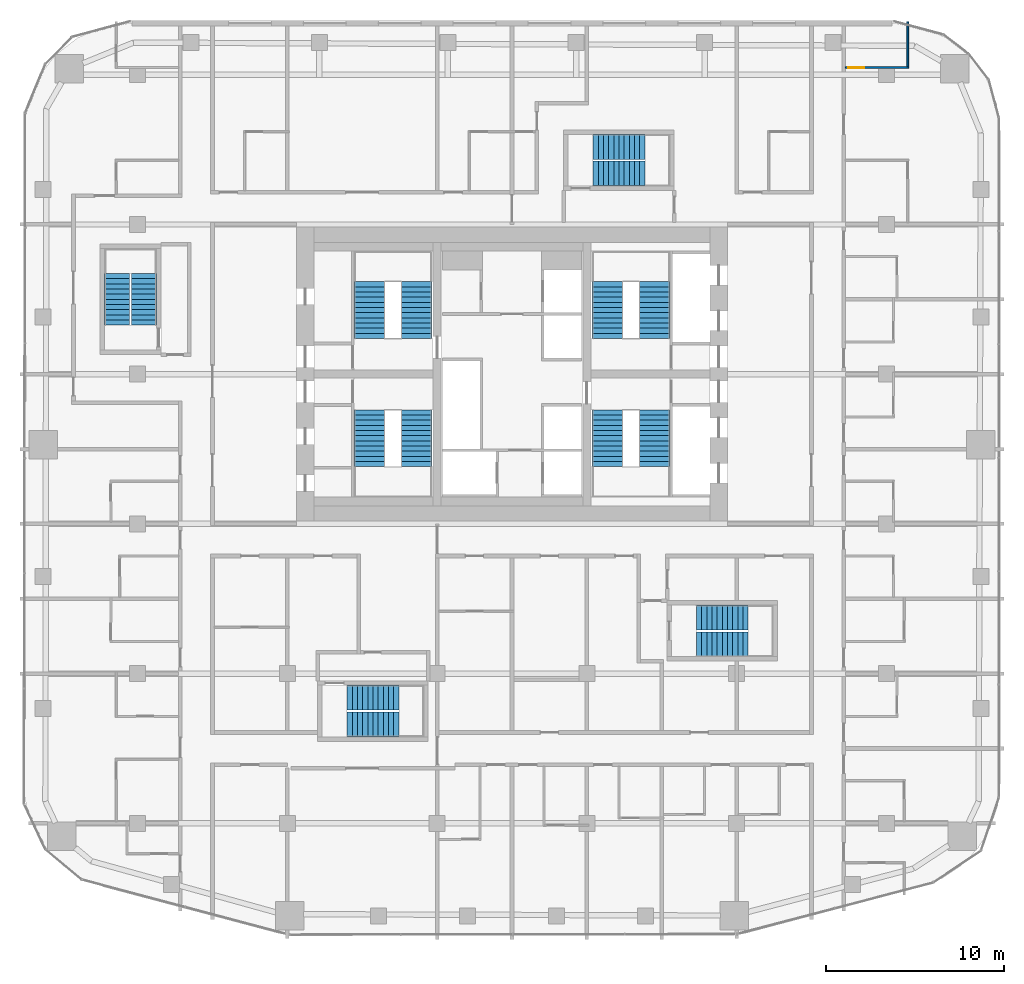
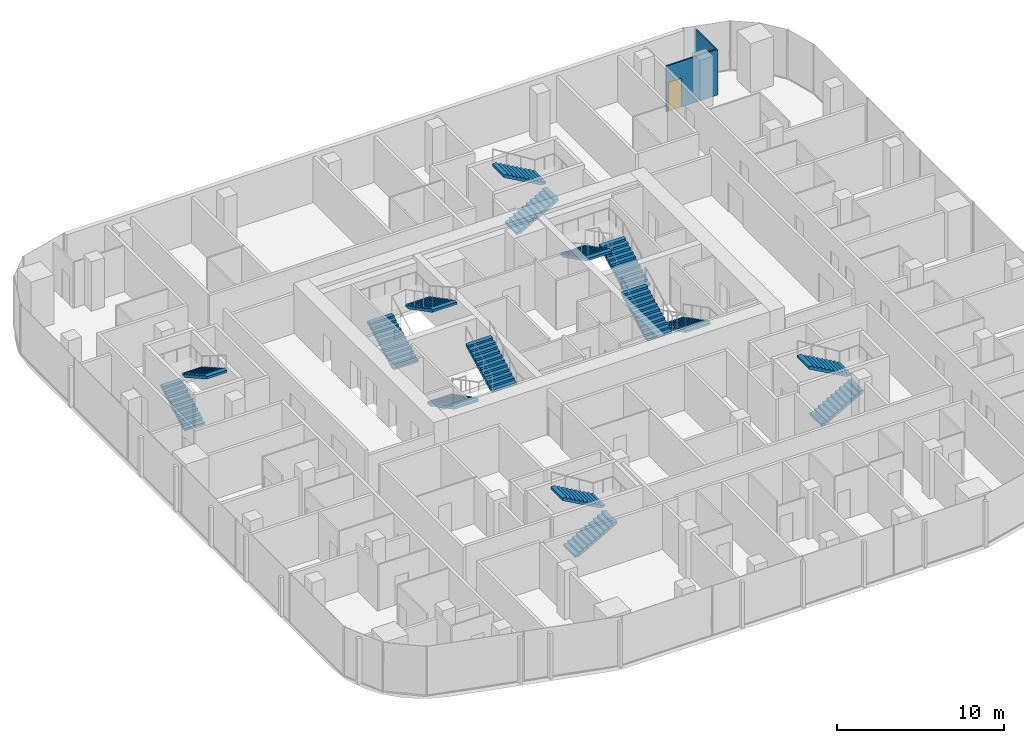
# One storey, part 21 of 23: 16 stair flights, 2 walls, 1 door, 1 opening, 8 elements without a shape of their own.
"""IFC4 building model written with IfcOpenShell, lengths in metres."""

from ifc_helpers import new_model, si_unit, direction, frame, frame_2d, origin, place, context, subcontext, project, spatial, polyline, rectangle, outline, extrude, material, layer, layer_set, type_object, element, fill, aggregate, save


model = new_model("IFC4")

# Units and contexts
model_context = context("Model", 3, precision=1e-05, world=origin(), true_north=direction((0.0, 1.0)))
body_context = subcontext(model_context, "Body", "Model", "MODEL_VIEW")
ifc_project = project(units=[si_unit("LENGTHUNIT", "METRE"), si_unit("AREAUNIT", "SQUARE_METRE"), si_unit("VOLUMEUNIT", "CUBIC_METRE"), si_unit("PLANEANGLEUNIT", "RADIAN"), si_unit("MASSUNIT", "GRAM", prefix="KILO")], contexts=[model_context])

# Site, building, storey
site_placement = place(None, origin())
site = spatial("IfcSite", under=ifc_project, at=site_placement, CompositionType="ELEMENT")
building_placement = place(site_placement, origin())
building = spatial("IfcBuilding", under=site, at=building_placement, Name="Marenta Gate Hotel Tower", CompositionType="ELEMENT")
storey_placement = place(building_placement, frame((0.0, 0.0, 140.89990234375)))
storey = spatial("IfcBuildingStorey", under=building, at=storey_placement, Name="L32", CompositionType="ELEMENT", Elevation=140.89990234375)

# Wall
ifc_material_1 = material(Name="Gypsum board on steel stud", Category="steel")
ifc_layer = layer(ifc_material_1, 0.10009765625)
ifc_layer_set = layer_set([ifc_layer], Name="Gypsum board on steel stud")
wall_type = type_object("IfcWallType", Name="Room partition 100", PredefinedType="PARTITIONING", material=ifc_layer_set)
wall_1_placement = place(storey_placement, frame((22.199951171875, 25.64990234375, 0.0), z_axis=(0.0, 0.0, 1.0), x_axis=(0.0, 1.0, 0.0)))
element("IfcWall", 1, at=wall_1_placement, inside=storey, type_object=wall_type, Name="L32-PTN-W002", PredefinedType="PARTITIONING", context=body_context, shape_type="SweptSolid", body=[
    extrude(rectangle(XDim=2.531982421875, YDim=0.10009765625, at=frame_2d((1.26611328125, 0.0))), origin(), (0.0, 0.0, 1.0), 3.340087890625),
])

# Wall, opening, door
wall_2_placement = place(storey_placement, frame((18.699951171875, 25.60009765625, 0.0), z_axis=(0.0, 0.0, 1.0), x_axis=(1.0, 0.0, 0.0)))
wall_2 = element("IfcWall", 2, at=wall_2_placement, inside=storey, type_object=wall_type, Name="L32-PTN-W130", PredefinedType="PARTITIONING", context=body_context, shape_type="SweptSolid", body=[
    extrude(rectangle(XDim=3.550048828125, YDim=0.10009765625, at=frame_2d((1.77490234375, 0.0))), origin(), (0.0, 0.0, 1.0), 3.340087890625),
])
opening_placement = place(wall_2_placement, frame((0.14990234375, 0.0, 0.0)))
opening = element("IfcOpeningElement", 3, at=opening_placement, cuts=wall_2, Name="Opening G12-28", PredefinedType="OPENING", context=body_context, shape_type="SweptSolid", body=[
    extrude(rectangle(XDim=0.89990234375, YDim=2.10009765625, at=frame_2d((0.449951171875, 1.050048828125))), frame((0.0, 0.050048828125, 0.0), z_axis=(0.0, -1.0, 0.0), x_axis=(1.0, 0.0, 0.0)), (0.0, 0.0, 1.0), 0.10009765625),
])
ifc_material_2 = material(Name="Timber door leaf", Category="wood")
door_type = type_object("IfcDoorType", Name="Room inner door 900x2100", OperationType="NOTDEFINED", PredefinedType="DOOR", material=ifc_material_2)
door_placement = place(opening_placement, origin())
door = element("IfcDoor", 4, at=door_placement, inside=storey, type_object=door_type, Name="L32-PD-D028", OperationType="SINGLE_SWING_LEFT", OverallHeight=2.10009765625, OverallWidth=0.89990234375, PredefinedType="DOOR", context=body_context, shape_type="SweptSolid", body=[
    extrude(rectangle(XDim=0.89990234375, YDim=2.10009765625, at=frame_2d((0.449951171875, 1.050048828125))), frame((0.0, 0.02490234375, 0.0), z_axis=(0.0, -1.0, 0.0), x_axis=(1.0, 0.0, 0.0)), (0.0, 0.0, 1.0), 0.050048828125),
])
fill(opening, door)

# Stair, stair flights
ifc_material_3 = material(Name="Concrete C40", Category="concrete")
stair_type_1 = type_object("IfcStairType", Name="Core exit stair 1700 wide", PredefinedType="HALF_TURN_STAIR", material=ifc_material_3)
stair_1_placement = place(storey_placement, origin())
stair_1 = element("IfcStair", 5, at=stair_1_placement, inside=storey, type_object=stair_type_1, Name="Exit stair 1", PredefinedType="HALF_TURN_STAIR")
ifc_material_4 = material(Name="Concrete C40", Category="concrete")
stair_flight_type_1 = type_object("IfcStairFlightType", Name="Core stair flight 1700 riser 150.0 going 290", PredefinedType="STRAIGHT", material=ifc_material_4)
stair_flight_1_placement = place(storey_placement, frame((-8.0, 6.39990234375, 0.0), z_axis=(0.0, 0.0, 1.0), x_axis=(0.0, -1.0, 0.0)))
stair_flight_1 = element("IfcStairFlight", 6, at=stair_flight_1_placement, type_object=stair_flight_type_1, Name="ST1 flight 1", NumberOfRisers=12, NumberOfTreads=11, PredefinedType="STRAIGHT", RiserHeight=0.15, TreadLength=0.29, context=body_context, shape_type="SweptSolid", body=[
    extrude(outline(polyline([(0.0, 0.0), (0.0, 0.14990234375), (0.2900390625, 0.14990234375), (0.2900390625, 0.300048828125), (0.580078125, 0.300048828125), (0.580078125, 0.449951171875), (0.8701171875, 0.449951171875), (0.8701171875, 0.60009765625), (1.159912109375, 0.60009765625), (1.159912109375, 0.75), (1.449951171875, 0.75), (1.449951171875, 0.89990234375), (1.739990234375, 0.89990234375), (1.739990234375, 1.050048828125), (2.030029296875, 1.050048828125), (2.030029296875, 1.199951171875), (2.320068359375, 1.199951171875), (2.320068359375, 1.35009765625), (2.610107421875, 1.35009765625), (2.610107421875, 1.5), (2.89990234375, 1.5), (2.89990234375, 1.64990234375), (3.18994140625, 1.64990234375), (3.18994140625, 1.800048828125), (3.18994140625, 1.481201171875), (0.326171875, 0.0), (0.0, 0.0)])), frame((0.0, 0.85009765625, 0.0), z_axis=(0.0, -1.0, 0.0), x_axis=(1.0, 0.0, 0.0)), (0.0, 0.0, 1.0), 1.699951171875),
])
stair_flight_2_placement = place(storey_placement, frame((-5.35009765625, 3.2099609375, 1.800048828125), z_axis=(0.0, 0.0, 1.0), x_axis=(0.0, 1.0, 0.0)))
stair_flight_2 = element("IfcStairFlight", 7, at=stair_flight_2_placement, type_object=stair_flight_type_1, Name="ST1 flight 2", NumberOfRisers=12, NumberOfTreads=11, PredefinedType="STRAIGHT", RiserHeight=0.15, TreadLength=0.29, context=body_context, shape_type="SweptSolid", body=[
    extrude(outline(polyline([(0.0, 0.0), (0.0, 0.14990234375), (0.2900390625, 0.14990234375), (0.2900390625, 0.300048828125), (0.580078125, 0.300048828125), (0.580078125, 0.449951171875), (0.8701171875, 0.449951171875), (0.8701171875, 0.60009765625), (1.159912109375, 0.60009765625), (1.159912109375, 0.75), (1.449951171875, 0.75), (1.449951171875, 0.89990234375), (1.739990234375, 0.89990234375), (1.739990234375, 1.050048828125), (2.030029296875, 1.050048828125), (2.030029296875, 1.199951171875), (2.320068359375, 1.199951171875), (2.320068359375, 1.35009765625), (2.610107421875, 1.35009765625), (2.610107421875, 1.5), (2.89990234375, 1.5), (2.89990234375, 1.64990234375), (3.18994140625, 1.64990234375), (3.18994140625, 1.800048828125), (3.18994140625, 1.481201171875), (0.326171875, 0.0), (0.0, 0.0)])), frame((0.0, 0.85009765625, 0.0), z_axis=(0.0, -1.0, 0.0), x_axis=(1.0, 0.0, 0.0)), (0.0, 0.0, 1.0), 1.699951171875),
])
aggregate(stair_1, [stair_flight_1, stair_flight_2])

stair_2_placement = place(storey_placement, origin())
stair_2 = element("IfcStair", 8, at=stair_2_placement, inside=storey, type_object=stair_type_1, Name="Exit stair 2", PredefinedType="HALF_TURN_STAIR")
stair_flight_3_placement = place(storey_placement, frame((-8.0, 10.39990234375, 0.0), z_axis=(0.0, 0.0, 1.0), x_axis=(0.0, 1.0, 0.0)))
stair_flight_3 = element("IfcStairFlight", 9, at=stair_flight_3_placement, type_object=stair_flight_type_1, Name="ST2 flight 1", NumberOfRisers=12, NumberOfTreads=11, PredefinedType="STRAIGHT", RiserHeight=0.15, TreadLength=0.29, context=body_context, shape_type="SweptSolid", body=[
    extrude(outline(polyline([(0.0, 0.0), (0.0, 0.14990234375), (0.2900390625, 0.14990234375), (0.2900390625, 0.300048828125), (0.580078125, 0.300048828125), (0.580078125, 0.449951171875), (0.8701171875, 0.449951171875), (0.8701171875, 0.60009765625), (1.159912109375, 0.60009765625), (1.159912109375, 0.75), (1.449951171875, 0.75), (1.449951171875, 0.89990234375), (1.739990234375, 0.89990234375), (1.739990234375, 1.050048828125), (2.030029296875, 1.050048828125), (2.030029296875, 1.199951171875), (2.320068359375, 1.199951171875), (2.320068359375, 1.35009765625), (2.610107421875, 1.35009765625), (2.610107421875, 1.5), (2.89990234375, 1.5), (2.89990234375, 1.64990234375), (3.18994140625, 1.64990234375), (3.18994140625, 1.800048828125), (3.18994140625, 1.481201171875), (0.326171875, 0.0), (0.0, 0.0)])), frame((0.0, 0.85009765625, 0.0), z_axis=(0.0, -1.0, 0.0), x_axis=(1.0, 0.0, 0.0)), (0.0, 0.0, 1.0), 1.699951171875),
])
stair_flight_4_placement = place(storey_placement, frame((-5.35009765625, 13.590087890625, 1.800048828125), z_axis=(0.0, 0.0, 1.0), x_axis=(0.0, -1.0, 0.0)))
stair_flight_4 = element("IfcStairFlight", 10, at=stair_flight_4_placement, type_object=stair_flight_type_1, Name="ST2 flight 2", NumberOfRisers=12, NumberOfTreads=11, PredefinedType="STRAIGHT", RiserHeight=0.15, TreadLength=0.29, context=body_context, shape_type="SweptSolid", body=[
    extrude(outline(polyline([(0.0, 0.0), (0.0, 0.14990234375), (0.2900390625, 0.14990234375), (0.2900390625, 0.300048828125), (0.580078125, 0.300048828125), (0.580078125, 0.449951171875), (0.8701171875, 0.449951171875), (0.8701171875, 0.60009765625), (1.159912109375, 0.60009765625), (1.159912109375, 0.75), (1.449951171875, 0.75), (1.449951171875, 0.89990234375), (1.739990234375, 0.89990234375), (1.739990234375, 1.050048828125), (2.030029296875, 1.050048828125), (2.030029296875, 1.199951171875), (2.320068359375, 1.199951171875), (2.320068359375, 1.35009765625), (2.610107421875, 1.35009765625), (2.610107421875, 1.5), (2.89990234375, 1.5), (2.89990234375, 1.64990234375), (3.18994140625, 1.64990234375), (3.18994140625, 1.800048828125), (3.18994140625, 1.481201171875), (0.326171875, 0.0), (0.0, 0.0)])), frame((0.0, 0.85009765625, 0.0), z_axis=(0.0, -1.0, 0.0), x_axis=(1.0, 0.0, 0.0)), (0.0, 0.0, 1.0), 1.699951171875),
])
aggregate(stair_2, [stair_flight_3, stair_flight_4])

stair_3_placement = place(storey_placement, origin())
stair_3 = element("IfcStair", 11, at=stair_3_placement, inside=storey, type_object=stair_type_1, Name="Exit stair 3", PredefinedType="HALF_TURN_STAIR")
stair_flight_5_placement = place(storey_placement, frame((8.0, 6.39990234375, 0.0), z_axis=(0.0, 0.0, 1.0), x_axis=(0.0, -1.0, 0.0)))
stair_flight_5 = element("IfcStairFlight", 12, at=stair_flight_5_placement, type_object=stair_flight_type_1, Name="ST3 flight 1", NumberOfRisers=12, NumberOfTreads=11, PredefinedType="STRAIGHT", RiserHeight=0.15, TreadLength=0.29, context=body_context, shape_type="SweptSolid", body=[
    extrude(outline(polyline([(0.0, 0.0), (0.0, 0.14990234375), (0.2900390625, 0.14990234375), (0.2900390625, 0.300048828125), (0.580078125, 0.300048828125), (0.580078125, 0.449951171875), (0.8701171875, 0.449951171875), (0.8701171875, 0.60009765625), (1.159912109375, 0.60009765625), (1.159912109375, 0.75), (1.449951171875, 0.75), (1.449951171875, 0.89990234375), (1.739990234375, 0.89990234375), (1.739990234375, 1.050048828125), (2.030029296875, 1.050048828125), (2.030029296875, 1.199951171875), (2.320068359375, 1.199951171875), (2.320068359375, 1.35009765625), (2.610107421875, 1.35009765625), (2.610107421875, 1.5), (2.89990234375, 1.5), (2.89990234375, 1.64990234375), (3.18994140625, 1.64990234375), (3.18994140625, 1.800048828125), (3.18994140625, 1.481201171875), (0.326171875, 0.0), (0.0, 0.0)])), frame((0.0, 0.85009765625, 0.0), z_axis=(0.0, -1.0, 0.0), x_axis=(1.0, 0.0, 0.0)), (0.0, 0.0, 1.0), 1.699951171875),
])
stair_flight_6_placement = place(storey_placement, frame((5.35009765625, 3.2099609375, 1.800048828125), z_axis=(0.0, 0.0, 1.0), x_axis=(0.0, 1.0, 0.0)))
stair_flight_6 = element("IfcStairFlight", 13, at=stair_flight_6_placement, type_object=stair_flight_type_1, Name="ST3 flight 2", NumberOfRisers=12, NumberOfTreads=11, PredefinedType="STRAIGHT", RiserHeight=0.15, TreadLength=0.29, context=body_context, shape_type="SweptSolid", body=[
    extrude(outline(polyline([(0.0, 0.0), (0.0, 0.14990234375), (0.2900390625, 0.14990234375), (0.2900390625, 0.300048828125), (0.580078125, 0.300048828125), (0.580078125, 0.449951171875), (0.8701171875, 0.449951171875), (0.8701171875, 0.60009765625), (1.159912109375, 0.60009765625), (1.159912109375, 0.75), (1.449951171875, 0.75), (1.449951171875, 0.89990234375), (1.739990234375, 0.89990234375), (1.739990234375, 1.050048828125), (2.030029296875, 1.050048828125), (2.030029296875, 1.199951171875), (2.320068359375, 1.199951171875), (2.320068359375, 1.35009765625), (2.610107421875, 1.35009765625), (2.610107421875, 1.5), (2.89990234375, 1.5), (2.89990234375, 1.64990234375), (3.18994140625, 1.64990234375), (3.18994140625, 1.800048828125), (3.18994140625, 1.481201171875), (0.326171875, 0.0), (0.0, 0.0)])), frame((0.0, 0.85009765625, 0.0), z_axis=(0.0, -1.0, 0.0), x_axis=(1.0, 0.0, 0.0)), (0.0, 0.0, 1.0), 1.699951171875),
])
aggregate(stair_3, [stair_flight_5, stair_flight_6])

stair_4_placement = place(storey_placement, origin())
stair_4 = element("IfcStair", 14, at=stair_4_placement, inside=storey, type_object=stair_type_1, Name="Exit stair 4", PredefinedType="HALF_TURN_STAIR")
stair_flight_7_placement = place(storey_placement, frame((8.0, 10.39990234375, 0.0), z_axis=(0.0, 0.0, 1.0), x_axis=(0.0, 1.0, 0.0)))
stair_flight_7 = element("IfcStairFlight", 15, at=stair_flight_7_placement, type_object=stair_flight_type_1, Name="ST4 flight 1", NumberOfRisers=12, NumberOfTreads=11, PredefinedType="STRAIGHT", RiserHeight=0.15, TreadLength=0.29, context=body_context, shape_type="SweptSolid", body=[
    extrude(outline(polyline([(0.0, 0.0), (0.0, 0.14990234375), (0.2900390625, 0.14990234375), (0.2900390625, 0.300048828125), (0.580078125, 0.300048828125), (0.580078125, 0.449951171875), (0.8701171875, 0.449951171875), (0.8701171875, 0.60009765625), (1.159912109375, 0.60009765625), (1.159912109375, 0.75), (1.449951171875, 0.75), (1.449951171875, 0.89990234375), (1.739990234375, 0.89990234375), (1.739990234375, 1.050048828125), (2.030029296875, 1.050048828125), (2.030029296875, 1.199951171875), (2.320068359375, 1.199951171875), (2.320068359375, 1.35009765625), (2.610107421875, 1.35009765625), (2.610107421875, 1.5), (2.89990234375, 1.5), (2.89990234375, 1.64990234375), (3.18994140625, 1.64990234375), (3.18994140625, 1.800048828125), (3.18994140625, 1.481201171875), (0.326171875, 0.0), (0.0, 0.0)])), frame((0.0, 0.85009765625, 0.0), z_axis=(0.0, -1.0, 0.0), x_axis=(1.0, 0.0, 0.0)), (0.0, 0.0, 1.0), 1.699951171875),
])
stair_flight_8_placement = place(storey_placement, frame((5.35009765625, 13.590087890625, 1.800048828125), z_axis=(0.0, 0.0, 1.0), x_axis=(0.0, -1.0, 0.0)))
stair_flight_8 = element("IfcStairFlight", 16, at=stair_flight_8_placement, type_object=stair_flight_type_1, Name="ST4 flight 2", NumberOfRisers=12, NumberOfTreads=11, PredefinedType="STRAIGHT", RiserHeight=0.15, TreadLength=0.29, context=body_context, shape_type="SweptSolid", body=[
    extrude(outline(polyline([(0.0, 0.0), (0.0, 0.14990234375), (0.2900390625, 0.14990234375), (0.2900390625, 0.300048828125), (0.580078125, 0.300048828125), (0.580078125, 0.449951171875), (0.8701171875, 0.449951171875), (0.8701171875, 0.60009765625), (1.159912109375, 0.60009765625), (1.159912109375, 0.75), (1.449951171875, 0.75), (1.449951171875, 0.89990234375), (1.739990234375, 0.89990234375), (1.739990234375, 1.050048828125), (2.030029296875, 1.050048828125), (2.030029296875, 1.199951171875), (2.320068359375, 1.199951171875), (2.320068359375, 1.35009765625), (2.610107421875, 1.35009765625), (2.610107421875, 1.5), (2.89990234375, 1.5), (2.89990234375, 1.64990234375), (3.18994140625, 1.64990234375), (3.18994140625, 1.800048828125), (3.18994140625, 1.481201171875), (0.326171875, 0.0), (0.0, 0.0)])), frame((0.0, 0.85009765625, 0.0), z_axis=(0.0, -1.0, 0.0), x_axis=(1.0, 0.0, 0.0)), (0.0, 0.0, 1.0), 1.699951171875),
])
aggregate(stair_4, [stair_flight_7, stair_flight_8])

ifc_material_5 = material(Name="Concrete C40", Category="concrete")
stair_type_2 = type_object("IfcStairType", Name="Remote exit stair 1400 wide", PredefinedType="HALF_TURN_STAIR", material=ifc_material_5)
stair_5_placement = place(storey_placement, origin())
stair_5 = element("IfcStair", 17, at=stair_5_placement, inside=storey, type_object=stair_type_2, Name="Exit stair RS-Z1-3", PredefinedType="HALF_TURN_STAIR")
ifc_material_6 = material(Name="Concrete C40", Category="concrete")
stair_flight_type_2 = type_object("IfcStairFlightType", Name="Remote stair flight 1400 riser 163.6 going 290", PredefinedType="STRAIGHT", material=ifc_material_6)
stair_flight_9_placement = place(storey_placement, frame((-22.14990234375, 11.14990234375, 0.0), z_axis=(0.0, 0.0, 1.0), x_axis=(0.0, 1.0, 0.0)))
stair_flight_9 = element("IfcStairFlight", 18, at=stair_flight_9_placement, type_object=stair_flight_type_2, Name="RS-Z1-3 flight 1", NumberOfRisers=11, NumberOfTreads=10, PredefinedType="STRAIGHT", RiserHeight=0.163636, TreadLength=0.29, context=body_context, shape_type="SweptSolid", body=[
    extrude(outline(polyline([(0.0, 0.0), (0.0, 0.16357421875), (0.2900390625, 0.16357421875), (0.2900390625, 0.327392578125), (0.580078125, 0.327392578125), (0.580078125, 0.490966796875), (0.8701171875, 0.490966796875), (0.8701171875, 0.654541015625), (1.159912109375, 0.654541015625), (1.159912109375, 0.818115234375), (1.449951171875, 0.818115234375), (1.449951171875, 0.98193359375), (1.739990234375, 0.98193359375), (1.739990234375, 1.1455078125), (2.030029296875, 1.1455078125), (2.030029296875, 1.30908203125), (2.320068359375, 1.30908203125), (2.320068359375, 1.47265625), (2.610107421875, 1.47265625), (2.610107421875, 1.636474609375), (2.89990234375, 1.636474609375), (2.89990234375, 1.800048828125), (2.89990234375, 1.46435546875), (0.304931640625, 0.0), (0.0, 0.0)])), frame((0.0, 0.699951171875, 0.0), z_axis=(0.0, -1.0, 0.0), x_axis=(1.0, 0.0, 0.0)), (0.0, 0.0, 1.0), 1.39990234375),
])
stair_flight_10_placement = place(storey_placement, frame((-20.64990234375, 14.050048828125, 1.800048828125), z_axis=(0.0, 0.0, 1.0), x_axis=(0.0, -1.0, 0.0)))
stair_flight_10 = element("IfcStairFlight", 19, at=stair_flight_10_placement, type_object=stair_flight_type_2, Name="RS-Z1-3 flight 2", NumberOfRisers=11, NumberOfTreads=10, PredefinedType="STRAIGHT", RiserHeight=0.163636, TreadLength=0.29, context=body_context, shape_type="SweptSolid", body=[
    extrude(outline(polyline([(0.0, 0.0), (0.0, 0.16357421875), (0.2900390625, 0.16357421875), (0.2900390625, 0.327392578125), (0.580078125, 0.327392578125), (0.580078125, 0.490966796875), (0.8701171875, 0.490966796875), (0.8701171875, 0.654541015625), (1.159912109375, 0.654541015625), (1.159912109375, 0.818115234375), (1.449951171875, 0.818115234375), (1.449951171875, 0.98193359375), (1.739990234375, 0.98193359375), (1.739990234375, 1.1455078125), (2.030029296875, 1.1455078125), (2.030029296875, 1.30908203125), (2.320068359375, 1.30908203125), (2.320068359375, 1.47265625), (2.610107421875, 1.47265625), (2.610107421875, 1.636474609375), (2.89990234375, 1.636474609375), (2.89990234375, 1.800048828125), (2.89990234375, 1.46435546875), (0.304931640625, 0.0), (0.0, 0.0)])), frame((0.0, 0.699951171875, 0.0), z_axis=(0.0, -1.0, 0.0), x_axis=(1.0, 0.0, 0.0)), (0.0, 0.0, 1.0), 1.39990234375),
])
aggregate(stair_5, [stair_flight_9, stair_flight_10])

stair_6_placement = place(storey_placement, origin())
stair_6 = element("IfcStair", 20, at=stair_6_placement, inside=storey, type_object=stair_type_2, Name="Exit stair RS-Z2-1", PredefinedType="HALF_TURN_STAIR")
stair_flight_11_placement = place(storey_placement, frame((-9.25, -11.25, 0.0), z_axis=(0.0, 0.0, 1.0), x_axis=(1.0, 0.0, 0.0)))
stair_flight_11 = element("IfcStairFlight", 21, at=stair_flight_11_placement, type_object=stair_flight_type_2, Name="RS-Z2-1 flight 1", NumberOfRisers=11, NumberOfTreads=10, PredefinedType="STRAIGHT", RiserHeight=0.163636, TreadLength=0.29, context=body_context, shape_type="SweptSolid", body=[
    extrude(outline(polyline([(0.0, 0.0), (0.0, 0.16357421875), (0.2900390625, 0.16357421875), (0.2900390625, 0.327392578125), (0.580078125, 0.327392578125), (0.580078125, 0.490966796875), (0.8701171875, 0.490966796875), (0.8701171875, 0.654541015625), (1.159912109375, 0.654541015625), (1.159912109375, 0.818115234375), (1.449951171875, 0.818115234375), (1.449951171875, 0.98193359375), (1.739990234375, 0.98193359375), (1.739990234375, 1.1455078125), (2.030029296875, 1.1455078125), (2.030029296875, 1.30908203125), (2.320068359375, 1.30908203125), (2.320068359375, 1.47265625), (2.610107421875, 1.47265625), (2.610107421875, 1.636474609375), (2.89990234375, 1.636474609375), (2.89990234375, 1.800048828125), (2.89990234375, 1.46435546875), (0.304931640625, 0.0), (0.0, 0.0)])), frame((0.0, 0.699951171875, 0.0), z_axis=(0.0, -1.0, 0.0), x_axis=(1.0, 0.0, 0.0)), (0.0, 0.0, 1.0), 1.39990234375),
])
stair_flight_12_placement = place(storey_placement, frame((-6.35009765625, -9.75, 1.800048828125), z_axis=(0.0, 0.0, 1.0), x_axis=(-1.0, 0.0, 0.0)))
stair_flight_12 = element("IfcStairFlight", 22, at=stair_flight_12_placement, type_object=stair_flight_type_2, Name="RS-Z2-1 flight 2", NumberOfRisers=11, NumberOfTreads=10, PredefinedType="STRAIGHT", RiserHeight=0.163636, TreadLength=0.29, context=body_context, shape_type="SweptSolid", body=[
    extrude(outline(polyline([(0.0, 0.0), (0.0, 0.16357421875), (0.2900390625, 0.16357421875), (0.2900390625, 0.327392578125), (0.580078125, 0.327392578125), (0.580078125, 0.490966796875), (0.8701171875, 0.490966796875), (0.8701171875, 0.654541015625), (1.159912109375, 0.654541015625), (1.159912109375, 0.818115234375), (1.449951171875, 0.818115234375), (1.449951171875, 0.98193359375), (1.739990234375, 0.98193359375), (1.739990234375, 1.1455078125), (2.030029296875, 1.1455078125), (2.030029296875, 1.30908203125), (2.320068359375, 1.30908203125), (2.320068359375, 1.47265625), (2.610107421875, 1.47265625), (2.610107421875, 1.636474609375), (2.89990234375, 1.636474609375), (2.89990234375, 1.800048828125), (2.89990234375, 1.46435546875), (0.304931640625, 0.0), (0.0, 0.0)])), frame((0.0, 0.699951171875, 0.0), z_axis=(0.0, -1.0, 0.0), x_axis=(1.0, 0.0, 0.0)), (0.0, 0.0, 1.0), 1.39990234375),
])
aggregate(stair_6, [stair_flight_11, stair_flight_12])

stair_7_placement = place(storey_placement, origin())
stair_7 = element("IfcStair", 23, at=stair_7_placement, inside=storey, type_object=stair_type_2, Name="Exit stair RS-Z2-2", PredefinedType="HALF_TURN_STAIR")
stair_flight_13_placement = place(storey_placement, frame((10.35009765625, -6.75, 0.0), z_axis=(0.0, 0.0, 1.0), x_axis=(1.0, 0.0, 0.0)))
stair_flight_13 = element("IfcStairFlight", 24, at=stair_flight_13_placement, type_object=stair_flight_type_2, Name="RS-Z2-2 flight 1", NumberOfRisers=11, NumberOfTreads=10, PredefinedType="STRAIGHT", RiserHeight=0.163636, TreadLength=0.29, context=body_context, shape_type="SweptSolid", body=[
    extrude(outline(polyline([(0.0, 0.0), (0.0, 0.16357421875), (0.2900390625, 0.16357421875), (0.2900390625, 0.327392578125), (0.580078125, 0.327392578125), (0.580078125, 0.490966796875), (0.8701171875, 0.490966796875), (0.8701171875, 0.654541015625), (1.159912109375, 0.654541015625), (1.159912109375, 0.818115234375), (1.449951171875, 0.818115234375), (1.449951171875, 0.98193359375), (1.739990234375, 0.98193359375), (1.739990234375, 1.1455078125), (2.030029296875, 1.1455078125), (2.030029296875, 1.30908203125), (2.320068359375, 1.30908203125), (2.320068359375, 1.47265625), (2.610107421875, 1.47265625), (2.610107421875, 1.636474609375), (2.89990234375, 1.636474609375), (2.89990234375, 1.800048828125), (2.89990234375, 1.46435546875), (0.304931640625, 0.0), (0.0, 0.0)])), frame((0.0, 0.699951171875, 0.0), z_axis=(0.0, -1.0, 0.0), x_axis=(1.0, 0.0, 0.0)), (0.0, 0.0, 1.0), 1.39990234375),
])
stair_flight_14_placement = place(storey_placement, frame((13.25, -5.25, 1.800048828125), z_axis=(0.0, 0.0, 1.0), x_axis=(-1.0, 0.0, 0.0)))
stair_flight_14 = element("IfcStairFlight", 25, at=stair_flight_14_placement, type_object=stair_flight_type_2, Name="RS-Z2-2 flight 2", NumberOfRisers=11, NumberOfTreads=10, PredefinedType="STRAIGHT", RiserHeight=0.163636, TreadLength=0.29, context=body_context, shape_type="SweptSolid", body=[
    extrude(outline(polyline([(0.0, 0.0), (0.0, 0.16357421875), (0.2900390625, 0.16357421875), (0.2900390625, 0.327392578125), (0.580078125, 0.327392578125), (0.580078125, 0.490966796875), (0.8701171875, 0.490966796875), (0.8701171875, 0.654541015625), (1.159912109375, 0.654541015625), (1.159912109375, 0.818115234375), (1.449951171875, 0.818115234375), (1.449951171875, 0.98193359375), (1.739990234375, 0.98193359375), (1.739990234375, 1.1455078125), (2.030029296875, 1.1455078125), (2.030029296875, 1.30908203125), (2.320068359375, 1.30908203125), (2.320068359375, 1.47265625), (2.610107421875, 1.47265625), (2.610107421875, 1.636474609375), (2.89990234375, 1.636474609375), (2.89990234375, 1.800048828125), (2.89990234375, 1.46435546875), (0.304931640625, 0.0), (0.0, 0.0)])), frame((0.0, 0.699951171875, 0.0), z_axis=(0.0, -1.0, 0.0), x_axis=(1.0, 0.0, 0.0)), (0.0, 0.0, 1.0), 1.39990234375),
])
aggregate(stair_7, [stair_flight_13, stair_flight_14])

stair_8_placement = place(storey_placement, origin())
stair_8 = element("IfcStair", 26, at=stair_8_placement, inside=storey, type_object=stair_type_2, Name="Exit stair RS-Z2-4", PredefinedType="HALF_TURN_STAIR")
stair_flight_15_placement = place(storey_placement, frame((4.550048828125, 19.64990234375, 0.0), z_axis=(0.0, 0.0, 1.0), x_axis=(1.0, 0.0, 0.0)))
stair_flight_15 = element("IfcStairFlight", 27, at=stair_flight_15_placement, type_object=stair_flight_type_2, Name="RS-Z2-4 flight 1", NumberOfRisers=11, NumberOfTreads=10, PredefinedType="STRAIGHT", RiserHeight=0.163636, TreadLength=0.29, context=body_context, shape_type="SweptSolid", body=[
    extrude(outline(polyline([(0.0, 0.0), (0.0, 0.16357421875), (0.2900390625, 0.16357421875), (0.2900390625, 0.327392578125), (0.580078125, 0.327392578125), (0.580078125, 0.490966796875), (0.8701171875, 0.490966796875), (0.8701171875, 0.654541015625), (1.159912109375, 0.654541015625), (1.159912109375, 0.818115234375), (1.449951171875, 0.818115234375), (1.449951171875, 0.98193359375), (1.739990234375, 0.98193359375), (1.739990234375, 1.1455078125), (2.030029296875, 1.1455078125), (2.030029296875, 1.30908203125), (2.320068359375, 1.30908203125), (2.320068359375, 1.47265625), (2.610107421875, 1.47265625), (2.610107421875, 1.636474609375), (2.89990234375, 1.636474609375), (2.89990234375, 1.800048828125), (2.89990234375, 1.46435546875), (0.304931640625, 0.0), (0.0, 0.0)])), frame((0.0, 0.699951171875, 0.0), z_axis=(0.0, -1.0, 0.0), x_axis=(1.0, 0.0, 0.0)), (0.0, 0.0, 1.0), 1.39990234375),
])
stair_flight_16_placement = place(storey_placement, frame((7.449951171875, 21.14990234375, 1.800048828125), z_axis=(0.0, 0.0, 1.0), x_axis=(-1.0, 0.0, 0.0)))
stair_flight_16 = element("IfcStairFlight", 28, at=stair_flight_16_placement, type_object=stair_flight_type_2, Name="RS-Z2-4 flight 2", NumberOfRisers=11, NumberOfTreads=10, PredefinedType="STRAIGHT", RiserHeight=0.163636, TreadLength=0.29, context=body_context, shape_type="SweptSolid", body=[
    extrude(outline(polyline([(0.0, 0.0), (0.0, 0.16357421875), (0.2900390625, 0.16357421875), (0.2900390625, 0.327392578125), (0.580078125, 0.327392578125), (0.580078125, 0.490966796875), (0.8701171875, 0.490966796875), (0.8701171875, 0.654541015625), (1.159912109375, 0.654541015625), (1.159912109375, 0.818115234375), (1.449951171875, 0.818115234375), (1.449951171875, 0.98193359375), (1.739990234375, 0.98193359375), (1.739990234375, 1.1455078125), (2.030029296875, 1.1455078125), (2.030029296875, 1.30908203125), (2.320068359375, 1.30908203125), (2.320068359375, 1.47265625), (2.610107421875, 1.47265625), (2.610107421875, 1.636474609375), (2.89990234375, 1.636474609375), (2.89990234375, 1.800048828125), (2.89990234375, 1.46435546875), (0.304931640625, 0.0), (0.0, 0.0)])), frame((0.0, 0.699951171875, 0.0), z_axis=(0.0, -1.0, 0.0), x_axis=(1.0, 0.0, 0.0)), (0.0, 0.0, 1.0), 1.39990234375),
])
aggregate(stair_8, [stair_flight_15, stair_flight_16])

save(model, "model.ifc")
